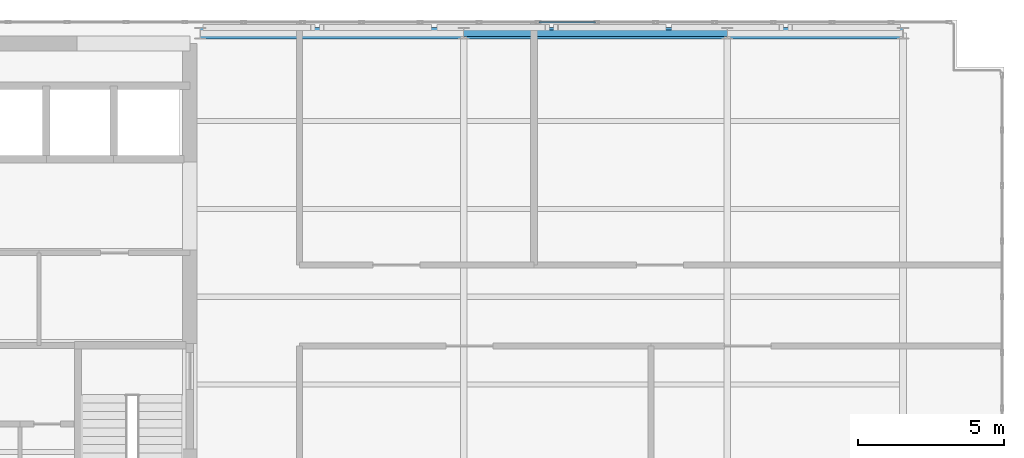
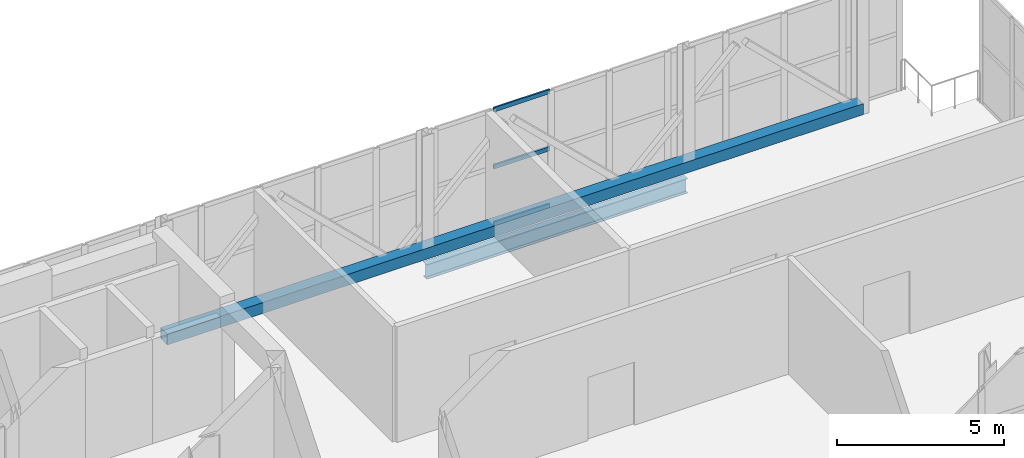
# One storey, part 12 of 21: 4 members, 1 beam, 1 element without a shape of its own.
"""IFC4 building model written with IfcOpenShell, lengths in metres."""

from ifc_helpers import new_model, si_unit, direction, frame, origin, origin_2d, place, context, subcontext, project, spatial, hollow_rectangle, i_section, extrude, material, layer, layer_set, material_profile, profile_set, type_object, element, aggregate, save


model = new_model("IFC4")

# Units and contexts
model_context = context("Model", 3, precision=1e-05, world=origin(), true_north=direction((0.0, 1.0)))
body_context = subcontext(model_context, "Body", "Model", "MODEL_VIEW")
ifc_project = project(units=[si_unit("LENGTHUNIT", "METRE"), si_unit("AREAUNIT", "SQUARE_METRE"), si_unit("VOLUMEUNIT", "CUBIC_METRE"), si_unit("PLANEANGLEUNIT", "RADIAN"), si_unit("MASSUNIT", "GRAM", prefix="KILO")], contexts=[model_context])

# Site, building, storey
site_placement = place(None, origin())
site = spatial("IfcSite", under=ifc_project, at=site_placement, CompositionType="ELEMENT")
building_placement = place(site_placement, origin())
building = spatial("IfcBuilding", under=site, at=building_placement, Name="Mawjdan Bourse Tower", CompositionType="ELEMENT")
storey_placement = place(building_placement, frame((0.0, 0.0, 313.199951171875)))
storey = spatial("IfcBuildingStorey", under=building, at=storey_placement, Name="L77", CompositionType="ELEMENT", Elevation=313.199951171875)

# Member
ifc_material_1 = material(Name="Structural Steel S460", Category="steel")
ifc_material_profile_1 = material_profile(ifc_material_1, hollow_rectangle(XDim=0.39990234375, YDim=0.39990234375, WallThickness=0.01611328125, at=origin_2d()), Name="HSS400X400X16")
ifc_profile_set_1 = profile_set([ifc_material_profile_1], Name="Structural Steel S460")
member_type_1 = type_object("IfcMemberType", Name="CHD-HSS400X400X16", PredefinedType="CHORD", material=ifc_profile_set_1)
member_1_placement = place(storey_placement, frame((24.0, 21.0, 0.199951171875), z_axis=(1.0, 0.0, 0.0), x_axis=(0.0, 1.0, 0.0)))
element("IfcMember", 1, at=member_1_placement, inside=storey, type_object=member_type_1, Name="L77 Lantern Crown Braced Frame North Bottom Chord", PredefinedType="CHORD", context=body_context, shape_type="SweptSolid", body=[
    extrude(hollow_rectangle(XDim=0.39990234375, YDim=0.39990234375, WallThickness=0.01611328125, at=origin_2d()), origin(), (0.0, 0.0, 1.0), 24.0),
])

# Beam
ifc_material_2 = material(Name="Structural Steel S355", Category="steel")
ifc_material_profile_2 = material_profile(ifc_material_2, i_section(OverallWidth=0.2099609375, OverallDepth=0.537109375, WebThickness=0.010986328125, FlangeThickness=0.017333984375, FilletRadius=0.013916015625, at=origin_2d()), Name="W21X68")
ifc_profile_set_2 = profile_set([ifc_material_profile_2], Name="Structural Steel S355")
beam_type = type_object("IfcBeamType", Name="SPN-W21X68", PredefinedType="SPANDREL", material=ifc_profile_set_2)
beam_placement = place(storey_placement, frame((33.0, 21.0, -0.54833984375), z_axis=(1.0, 0.0, 0.0), x_axis=(0.0, 1.0, 0.0)))
element("IfcBeam", 2, at=beam_placement, inside=storey, type_object=beam_type, Name="L77 Perimeter Masonry-Shelf Spandrel 009", PredefinedType="SPANDREL", context=body_context, shape_type="SweptSolid", body=[
    extrude(i_section(OverallWidth=0.2099609375, OverallDepth=0.537109375, WebThickness=0.010986328125, FlangeThickness=0.017333984375, FilletRadius=0.013916015625, at=origin_2d()), origin(), (0.0, 0.0, 1.0), 9.0),
])

# Curtain wall, members
ifc_material_3 = material(Name="Thermally Broken Aluminium and Solar Glass", Category="aluminium")
ifc_layer = layer(ifc_material_3, 0.219970703125)
ifc_layer_set = layer_set([ifc_layer], Name="Thermally Broken Aluminium and Solar Glass")
curtain_wall_type = type_object("IfcCurtainWallType", Name="CW-CRN", PredefinedType="USERDEFINED", material=ifc_layer_set)
curtain_wall_placement = place(storey_placement, origin())
curtain_wall = element("IfcCurtainWall", 3, at=curtain_wall_placement, inside=storey, type_object=curtain_wall_type, Name="L77 Lantern Crown North Curtain Wall", ObjectType="LANTERN GLAZED CROWN", PredefinedType="USERDEFINED")
ifc_material_4 = material(Name="Thermally Broken Anodised Aluminium", Category="aluminium")
ifc_material_profile_3 = material_profile(ifc_material_4, hollow_rectangle(XDim=0.06005859375, YDim=0.155029296875, WallThickness=0.00390625, at=origin_2d()), Name="ALU-TRN-155X60")
ifc_profile_set_3 = profile_set([ifc_material_profile_3], Name="Thermally Broken Anodised Aluminium")
member_type_2 = type_object("IfcMemberType", Name="TRN-ALU-TRN-155X60", PredefinedType="USERDEFINED", material=ifc_profile_set_3)
member_2_placement = place(storey_placement, frame((37.50537109375, 21.3701171875, 0.030029296875), z_axis=(-1.0, 0.0, 0.0), x_axis=(0.0, -1.0, 0.0)))
member_2 = element("IfcMember", 4, at=member_2_placement, type_object=member_type_2, Name="CW-CRN-L77-CRN-N transom 7.1", ObjectType="TRANSOM", PredefinedType="USERDEFINED", context=body_context, shape_type="SweptSolid", body=[
    extrude(hollow_rectangle(XDim=0.06005859375, YDim=0.155029296875, WallThickness=0.00390625, at=origin_2d()), origin(), (0.0, 0.0, 1.0), 1.9345703125),
])
member_3_placement = place(storey_placement, frame((37.50537109375, 21.3701171875, 2.110107421875), z_axis=(-1.0, 0.0, 0.0), x_axis=(0.0, -1.0, 0.0)))
member_3 = element("IfcMember", 5, at=member_3_placement, type_object=member_type_2, Name="CW-CRN-L77-CRN-N transom 7.2", ObjectType="TRANSOM", PredefinedType="USERDEFINED", context=body_context, shape_type="SweptSolid", body=[
    extrude(hollow_rectangle(XDim=0.06005859375, YDim=0.155029296875, WallThickness=0.00390625, at=origin_2d()), origin(), (0.0, 0.0, 1.0), 1.9345703125),
])
member_4_placement = place(storey_placement, frame((37.50537109375, 21.3701171875, 4.18994140625), z_axis=(-1.0, 0.0, 0.0), x_axis=(0.0, -1.0, 0.0)))
member_4 = element("IfcMember", 6, at=member_4_placement, type_object=member_type_2, Name="CW-CRN-L77-CRN-N transom 7.3", ObjectType="TRANSOM", PredefinedType="USERDEFINED", context=body_context, shape_type="SweptSolid", body=[
    extrude(hollow_rectangle(XDim=0.06005859375, YDim=0.155029296875, WallThickness=0.00390625, at=origin_2d()), origin(), (0.0, 0.0, 1.0), 1.9345703125),
])
aggregate(curtain_wall, [member_2, member_3, member_4])

save(model, "model.ifc")
